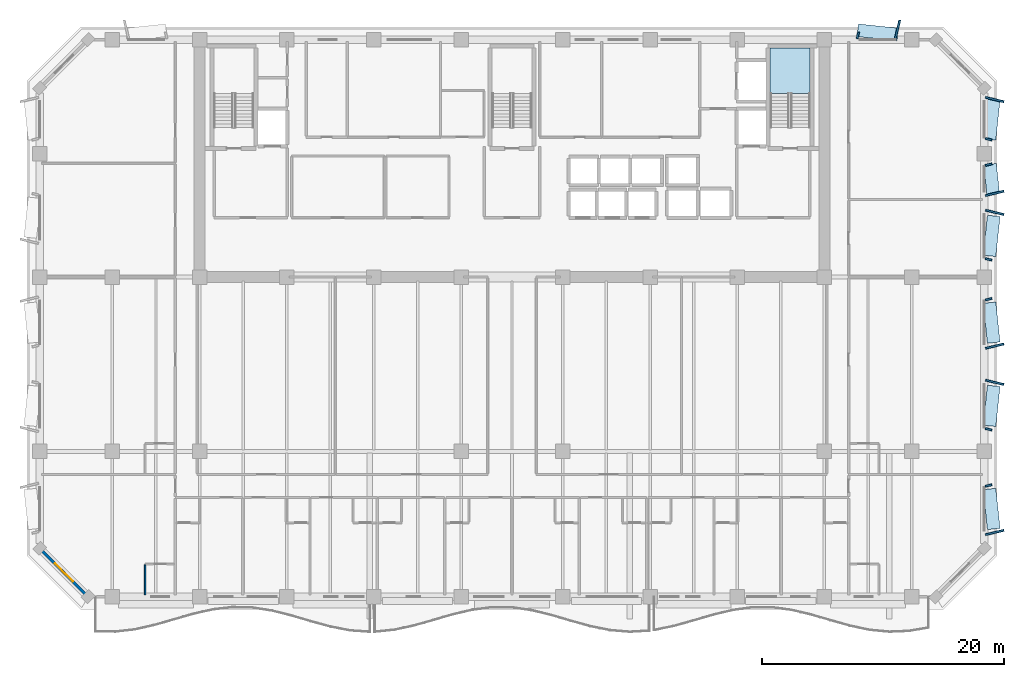
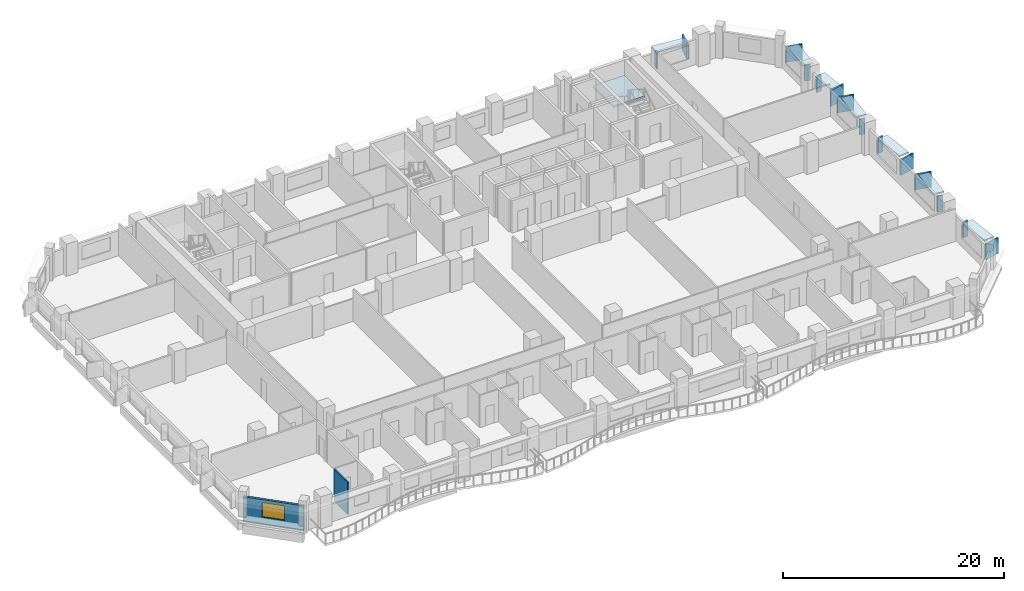
# One storey, part 3 of 15: 21 plates, 2 walls, 1 slab, 1 window, 1 opening, 1 element without a shape of its own.
"""IFC4 building model written with IfcOpenShell, lengths in metres."""

from ifc_helpers import new_model, si_unit, direction, frame, frame_2d, origin, origin_2d, place, context, subcontext, project, spatial, polyline, rectangle, outline, extrude, material, layer, layer_set, type_object, element, fill, aggregate, save


model = new_model("IFC4")

# Units and contexts
model_context = context("Model", 3, precision=1e-05, world=origin(), true_north=direction((0.0, 1.0)))
body_context = subcontext(model_context, "Body", "Model", "MODEL_VIEW")
ifc_project = project(units=[si_unit("LENGTHUNIT", "METRE"), si_unit("AREAUNIT", "SQUARE_METRE"), si_unit("VOLUMEUNIT", "CUBIC_METRE"), si_unit("PLANEANGLEUNIT", "RADIAN"), si_unit("MASSUNIT", "GRAM", prefix="KILO")], contexts=[model_context])

# Site, building, storey
site_placement = place(None, origin())
site = spatial("IfcSite", under=ifc_project, at=site_placement, CompositionType="ELEMENT")
building_placement = place(site_placement, origin())
building = spatial("IfcBuilding", under=site, at=building_placement, Name="Kaelvorn Grand Hotel", CompositionType="ELEMENT")
storey_placement = place(building_placement, frame((0.0, 0.0, 139.14990234375)))
storey = spatial("IfcBuildingStorey", under=building, at=storey_placement, Name="L33", CompositionType="ELEMENT", Elevation=139.14990234375)

# Plates
ifc_material_1 = material(Name="Precast concrete C45/55", Category="concrete")
ifc_layer_1 = layer(ifc_material_1, 0.159912109375)
ifc_layer_set_1 = layer_set([ifc_layer_1], Name="Precast concrete C45/55")
plate_type_1 = type_object("IfcPlateType", Name="PL-FRAME-DEEP-1550", PredefinedType="USERDEFINED", material=ifc_layer_set_1)
for number, where, z_axis, x_axis, name in (
    (1, (81.85498046875, 8.31005859375, 0.81494140625), (0.0, 0.0, 1.0), (-0.233445363856, 0.972369920398, 0.0), "L33 Tilted Precast Window Frame Fin L-E01"),
    (2, (81.85498046875, 20.705078125, 0.81494140625), (0.0, 0.0, 1.0), (0.233445363856, 0.972369920398, 0.0), "L33 Tilted Precast Window Frame Fin R-E02"),
    (3, (81.85498046875, 23.695068359375, 0.81494140625), (0.0, 0.0, 1.0), (-0.233445363856, 0.972369920398, 0.0), "L33 Tilted Precast Window Frame Fin L-E03"),
    (4, (81.85498046875, 34.739990234375, 0.81494140625), (0.0, 0.0, 1.0), (0.233445363856, 0.972369920398, 0.0), "L33 Tilted Precast Window Frame Fin R-E04"),
    (5, (81.85498046875, 36.31005859375, 0.7900390625), (0.0, 0.0, 1.0), (-0.233445363856, 0.972369920398, 0.0), "L33 Tilted Precast Window Frame Fin L-E05"),
    (6, (81.85498046875, 44.054931640625, 0.740234375), (0.0, 0.0, 1.0), (0.233445363856, 0.972369920398, 0.0), "L33 Tilted Precast Window Frame Fin R-E06"),
    (7, (73.840087890625, 49.85498046875, 0.740234375), (0.0, 0.0, 1.0), (0.972369920398, -0.233445363856, 0.0), "L33 Tilted Precast Window Frame Fin R-N02"),
):
    element("IfcPlate", number, at=place(storey_placement, frame(where, z_axis=z_axis, x_axis=x_axis)), inside=storey, type_object=plate_type_1, Name=name, ObjectType="FLANGE_PLATE", PredefinedType="USERDEFINED", context=body_context, shape_type="SweptSolid", body=[
        extrude(rectangle(XDim=0.159912109375, YDim=1.550048828125, at=origin_2d()), origin(), (0.0, 0.0, 1.0), 1.719970703125),
    ])
ifc_layer_2 = layer(ifc_material_1, 0.159912109375)
ifc_layer_set_2 = layer_set([ifc_layer_2], Name="Precast concrete C45/55")
plate_type_2 = type_object("IfcPlateType", Name="PL-FRAME-HEAD-1050", PredefinedType="USERDEFINED", material=ifc_layer_set_2)
for number, where, z_axis, x_axis, name in (
    (8, (81.60498046875, 10.25, 2.5), (0.0, 0.0, 1.0), (-0.105830199459, 0.994384215926, 0.0), "L33 Precast Window Frame Head Hood H-E01"),
    (9, (81.60498046875, 18.764892578125, 2.5), (0.0, 0.0, 1.0), (0.105830199459, 0.994384215926, 0.0), "L33 Precast Window Frame Head Hood H-E02"),
    (10, (81.60498046875, 25.635009765625, 2.5), (0.0, 0.0, 1.0), (-0.105830199459, 0.994384215926, 0.0), "L33 Precast Window Frame Head Hood H-E03"),
    (11, (81.60498046875, 32.800048828125, 2.5), (0.0, 0.0, 1.0), (0.105830199459, 0.994384215926, 0.0), "L33 Precast Window Frame Head Hood H-E04"),
):
    element("IfcPlate", number, at=place(storey_placement, frame(where, z_axis=z_axis, x_axis=x_axis)), inside=storey, type_object=plate_type_2, Name=name, ObjectType="FLANGE_PLATE", PredefinedType="USERDEFINED", context=body_context, shape_type="SweptSolid", body=[
        extrude(rectangle(XDim=3.320068359375, YDim=1.050048828125, at=origin_2d()), origin(), (0.0, 0.0, 1.0), 0.159912109375),
    ])
plate_placement = place(storey_placement, frame((81.60498046875, 37.5, 2.4501953125), z_axis=(0.0, 0.0, 1.0), x_axis=(-0.105830199459, 0.994384215926, 0.0)))
element("IfcPlate", 12, at=plate_placement, inside=storey, type_object=plate_type_2, Name="L33 Precast Window Frame Head Hood H-E05", ObjectType="FLANGE_PLATE", PredefinedType="USERDEFINED", context=body_context, shape_type="SweptSolid", body=[
    extrude(rectangle(XDim=2.4599609375, YDim=1.050048828125, at=origin_2d()), origin(), (0.0, 0.0, 1.0), 0.159912109375),
])
for number, where, z_axis, x_axis, name in (
    (13, (81.60498046875, 42.4150390625, 2.35009765625), (0.0, 0.0, 1.0), (0.105830199459, 0.994384215926, 0.0), "L33 Precast Window Frame Head Hood H-E06"),
    (14, (72.199951171875, 49.60498046875, 2.35009765625), (0.0, 0.0, 1.0), (0.994384215926, -0.105830199459, 0.0), "L33 Precast Window Frame Head Hood H-N02"),
):
    element("IfcPlate", number, at=place(storey_placement, frame(where, z_axis=z_axis, x_axis=x_axis)), inside=storey, type_object=plate_type_2, Name=name, ObjectType="FLANGE_PLATE", PredefinedType="USERDEFINED", context=body_context, shape_type="SweptSolid", body=[
        extrude(rectangle(XDim=3.320068359375, YDim=1.050048828125, at=origin_2d()), origin(), (0.0, 0.0, 1.0), 0.159912109375),
    ])
ifc_layer_3 = layer(ifc_material_1, 0.159912109375)
ifc_layer_set_3 = layer_set([ifc_layer_3], Name="Precast concrete C45/55")
plate_type_3 = type_object("IfcPlateType", Name="PL-FRAME-SHAL-550", PredefinedType="USERDEFINED", material=ifc_layer_set_3)
for number, where, z_axis, x_axis, name in (
    (15, (81.35498046875, 12.18994140625, 0.81494140625), (0.0, 0.0, 1.0), (-0.233445363856, 0.972369920398, 0.0), "L33 Tilted Precast Window Frame Fin R-E01"),
    (16, (81.35498046875, 16.824951171875, 0.81494140625), (0.0, 0.0, 1.0), (0.233445363856, 0.972369920398, 0.0), "L33 Tilted Precast Window Frame Fin L-E02"),
    (17, (81.35498046875, 27.574951171875, 0.81494140625), (0.0, 0.0, 1.0), (-0.233445363856, 0.972369920398, 0.0), "L33 Tilted Precast Window Frame Fin R-E03"),
    (18, (81.35498046875, 30.860107421875, 0.81494140625), (0.0, 0.0, 1.0), (0.233445363856, 0.972369920398, 0.0), "L33 Tilted Precast Window Frame Fin L-E04"),
    (19, (81.35498046875, 38.68994140625, 0.7900390625), (0.0, 0.0, 1.0), (-0.233445363856, 0.972369920398, 0.0), "L33 Tilted Precast Window Frame Fin R-E05"),
    (20, (81.35498046875, 40.77490234375, 0.740234375), (0.0, 0.0, 1.0), (0.233445363856, 0.972369920398, 0.0), "L33 Tilted Precast Window Frame Fin L-E06"),
    (21, (70.56005859375, 49.35498046875, 0.740234375), (0.0, 0.0, 1.0), (0.972369920398, -0.233445363856, 0.0), "L33 Tilted Precast Window Frame Fin L-N02"),
):
    element("IfcPlate", number, at=place(storey_placement, frame(where, z_axis=z_axis, x_axis=x_axis)), inside=storey, type_object=plate_type_3, Name=name, ObjectType="FLANGE_PLATE", PredefinedType="USERDEFINED", context=body_context, shape_type="SweptSolid", body=[
        extrude(rectangle(XDim=0.159912109375, YDim=0.550048828125, at=origin_2d()), origin(), (0.0, 0.0, 1.0), 1.719970703125),
    ])

# Stair, slab
ifc_material_2 = material(Name="Concrete C40/50", Category="concrete")
stair_type = type_object("IfcStairType", Name="STR-DOG-1560-R08", PredefinedType="HALF_TURN_STAIR", material=ifc_material_2)
stair_placement = place(storey_placement, origin())
stair = element("IfcStair", 22, at=stair_placement, inside=storey, type_object=stair_type, Name="L33 East Core Exit Stair ST3", PredefinedType="HALF_TURN_STAIR")
ifc_layer_4 = layer(ifc_material_2, 0.199951171875)
ifc_layer_set_4 = layer_set([ifc_layer_4], Name="Concrete C40/50")
slab_type = type_object("IfcSlabType", Name="SLB-LAND-200-C40", PredefinedType="LANDING", material=ifc_layer_set_4)
slab_placement = place(storey_placement, frame((0.0, 0.0, 1.7001953125)))
slab = element("IfcSlab", 23, at=slab_placement, type_object=slab_type, Name="ST3 landing 1", PredefinedType="LANDING", context=body_context, shape_type="SweptSolid", body=[
    extrude(outline(polyline([(66.60009765625, 44.56005859375), (66.60009765625, 48.300048828125), (63.320068359375, 48.300048828125), (63.320068359375, 44.56005859375), (66.60009765625, 44.56005859375)])), origin(), (0.0, 0.0, 1.0), 0.199951171875),
])
aggregate(stair, [slab])

# Wall, opening, window
ifc_layer_5 = layer(ifc_material_2, 0.239990234375)
ifc_layer_set_5 = layer_set([ifc_layer_5], Name="Concrete C40/50")
wall_type_1 = type_object("IfcWallType", Name="WL-EXT-240-C40", PredefinedType="SOLIDWALL", material=ifc_layer_set_5)
wall_1_placement = place(storey_placement, frame((3.0, 7.0, 0.0), z_axis=(0.0, 0.0, 1.0), x_axis=(0.707106781187, -0.707106781187, 0.0)))
wall_1 = element("IfcWall", 24, at=wall_1_placement, inside=storey, type_object=wall_type_1, Name="L33 Exterior Architectural Concrete Wall 08", PredefinedType="SOLIDWALL", context=body_context, shape_type="SweptSolid", body=[
    extrude(rectangle(XDim=5.65673828125, YDim=0.239990234375, at=frame_2d((2.828369140625, 0.0))), origin(), (0.0, 0.0, 1.0), 2.760009765625),
])
opening_placement = place(wall_1_placement, frame((1.7783203125, 0.0, 0.85009765625)))
opening = element("IfcOpeningElement", 25, at=opening_placement, cuts=wall_1, Name="Opening W7", PredefinedType="OPENING", context=body_context, shape_type="SweptSolid", body=[
    extrude(rectangle(XDim=2.10009765625, YDim=1.60009765625, at=frame_2d((1.050048828125, 0.800048828125))), frame((0.0, 0.1298828125, 0.0), z_axis=(0.0, -1.0, 0.0), x_axis=(1.0, 0.0, 0.0)), (0.0, 0.0, 1.0), 0.260009765625),
])
ifc_material_3 = material(Name="Laminated Low-E Glass", Category="glass")
window_type = type_object("IfcWindowType", Name="WIN-CHM-2100x1600", PartitioningType="SINGLE_PANEL", PredefinedType="WINDOW", material=ifc_material_3)
window_placement = place(opening_placement, origin())
window = element("IfcWindow", 26, at=window_placement, inside=storey, type_object=window_type, Name="L33 Chamfered 45-Degree Corner Window SW", OverallHeight=1.60009765625, OverallWidth=2.10009765625, PartitioningType="SINGLE_PANEL", PredefinedType="WINDOW", context=body_context, shape_type="SweptSolid", body=[
    extrude(rectangle(XDim=2.10009765625, YDim=1.60009765625, at=frame_2d((1.050048828125, 0.800048828125))), frame((0.0, 0.030029296875, 0.0), z_axis=(0.0, -1.0, 0.0), x_axis=(1.0, 0.0, 0.0)), (0.0, 0.0, 1.0), 0.06005859375),
])
fill(opening, window)

# Wall
ifc_material_4 = material(Name="Moisture-Resistant Tile & Stud Board")
ifc_layer_6 = layer(ifc_material_4, 0.125)
ifc_layer_set_6 = layer_set([ifc_layer_6], Name="Moisture-Resistant Tile & Stud Board")
wall_type_2 = type_object("IfcWallType", Name="WL-PART-125-WET", PredefinedType="PARTITIONING", material=ifc_layer_set_6)
wall_2_placement = place(storey_placement, frame((11.699951171875, 3.14990234375, 0.0), z_axis=(0.0, 0.0, 1.0), x_axis=(0.0, 1.0, 0.0)))
element("IfcWall", 27, at=wall_2_placement, inside=storey, type_object=wall_type_2, Name="L33 En-suite Bathroom L33-11 W Partition", PredefinedType="PARTITIONING", context=body_context, shape_type="SweptSolid", body=[
    extrude(rectangle(XDim=2.482666015625, YDim=0.125, at=frame_2d((1.2412109375, 0.0))), origin(), (0.0, 0.0, 1.0), 3.56005859375),
])

save(model, "model.ifc")
